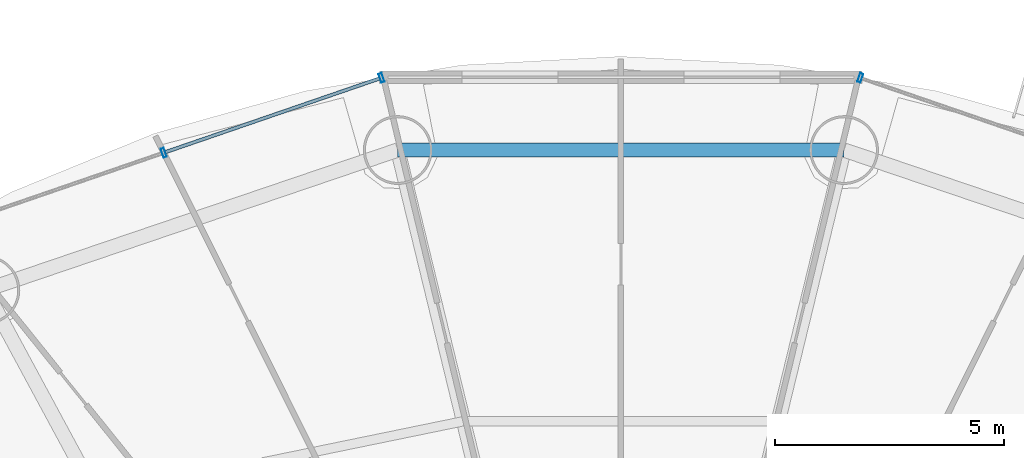
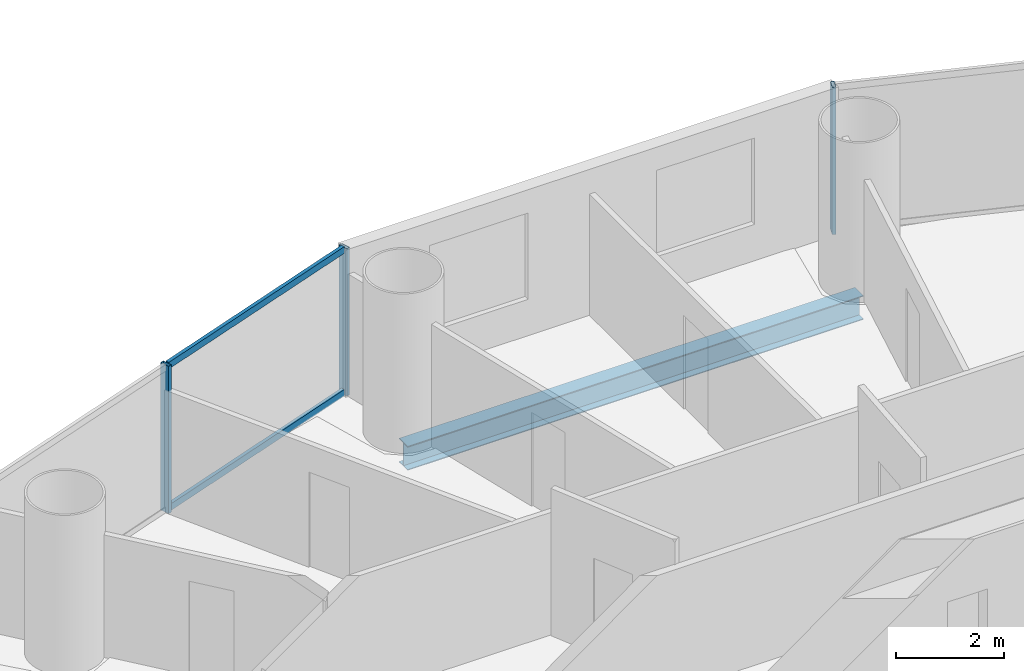
# One storey, part 18 of 29: 5 members, 1 beam, 2 elements without a shape of their own.
"""IFC4 building model written with IfcOpenShell, lengths in metres."""

from ifc_helpers import new_model, si_unit, direction, frame, origin, origin_2d, place, context, subcontext, project, spatial, hollow_rectangle, i_section, extrude, source, transform, mapped, material, material_profile, profile_set, type_object, element, aggregate, save


model = new_model("IFC4")

# Units and contexts
model_context = context("Model", 3, precision=1e-05, world=origin(), true_north=direction((-0.2419218956, 0.970295726276)))
body_context = subcontext(model_context, "Body", "Model", "MODEL_VIEW")
ifc_project = project(units=[si_unit("LENGTHUNIT", "METRE"), si_unit("AREAUNIT", "SQUARE_METRE"), si_unit("VOLUMEUNIT", "CUBIC_METRE"), si_unit("PLANEANGLEUNIT", "RADIAN"), si_unit("MASSUNIT", "GRAM", prefix="KILO")], contexts=[model_context])

# Site, building, storey
site_placement = place(None, origin())
site = spatial("IfcSite", under=ifc_project, at=site_placement, CompositionType="ELEMENT")
building_placement = place(site_placement, origin())
building = spatial("IfcBuilding", under=site, at=building_placement, Name="Cobrevalo Terracotta Tower", CompositionType="ELEMENT")
storey_placement = place(building_placement, frame((0.0, 0.0, 97.800048828125)))
storey = spatial("IfcBuildingStorey", under=building, at=storey_placement, Name="L25", CompositionType="ELEMENT", Elevation=97.800048828125)

# Beam
ifc_material_1 = material(Name="Steel S355", Category="steel")
ifc_material_profile_1 = material_profile(ifc_material_1, i_section(OverallWidth=0.31201171875, OverallDepth=0.54296875, WebThickness=0.0126953125, FlangeThickness=0.020263671875, at=origin_2d()), Name="W 530x150")
ifc_profile_set_1 = profile_set([ifc_material_profile_1], Name="Steel S355")
beam_type = type_object("IfcBeamType", Name="Structural Spandrel W 530x150 (Steel S355)", PredefinedType="SPANDREL", material=ifc_profile_set_1)
beam_placement = place(storey_placement, frame((42.867431640625, 46.857177734375, -0.546630859375), z_axis=(-1.0, 0.0, 0.0), x_axis=(0.0, -1.0, 0.0)))
element("IfcBeam", 1, at=beam_placement, inside=storey, type_object=beam_type, Name="L25 perimeter ring spandrel 04", PredefinedType="SPANDREL", context=body_context, shape_type="SweptSolid", body=[
    extrude(i_section(OverallWidth=0.31201171875, OverallDepth=0.54296875, WebThickness=0.0126953125, FlangeThickness=0.020263671875, at=origin_2d()), origin(), (0.0, 0.0, 1.0), 9.73486328125),
])

# Curtain wall, member
ifc_material_2 = material(Name="Anodized aluminium", Category="aluminium")
curtain_wall_type = type_object("IfcCurtainWallType", Name="Lower-tower unitised acoustic low-E curtain wall CW-U1", PredefinedType="NOTDEFINED", material=ifc_material_2)
curtain_wall_1_placement = place(storey_placement, origin())
curtain_wall_1 = element("IfcCurtainWall", 2, at=curtain_wall_1_placement, inside=storey, type_object=curtain_wall_type, Name="L25 curtain wall CW-L25-S03", PredefinedType="NOTDEFINED")
ifc_material_profile_2 = material_profile(ifc_material_2, hollow_rectangle(XDim=0.074951171875, YDim=0.199951171875, WallThickness=0.0048828125, at=origin_2d()), Name="CWM 75x200")
ifc_profile_set_2 = profile_set([ifc_material_profile_2], Name="Anodized aluminium")
member_type_1 = type_object("IfcMemberType", Name="Lower/mid tower unitised mullion 75x200", PredefinedType="MULLION", material=ifc_profile_set_2)
shared_shape_1 = source(origin(), body_context, "Body", "SweptSolid", [
    extrude(hollow_rectangle(XDim=0.074951171875, YDim=0.199951171875, WallThickness=0.0048828125, at=origin_2d()), origin(), (0.0, 0.0, 1.0), 3.324951171875),
])
member_1_placement = place(storey_placement, frame((43.221435546875, 48.432861328125, 0.0), z_axis=(0.0, 0.0, 1.0), x_axis=(-0.94559809868, 0.325337110968, 0.0)))
member_1 = element("IfcMember", 3, at=member_1_placement, type_object=member_type_1, Name="CW-L25-S03 vertical mullion 03", PredefinedType="MULLION", context=body_context, shape_type="MappedRepresentation", body=[
    mapped(shared_shape_1, transform((0.0, 0.0, 0.0), scale=1.0)),
])
aggregate(curtain_wall_1, [member_1])

# Curtain wall, members
curtain_wall_2_placement = place(storey_placement, origin())
curtain_wall_2 = element("IfcCurtainWall", 4, at=curtain_wall_2_placement, inside=storey, type_object=curtain_wall_type, Name="L25 curtain wall CW-L25-S05", PredefinedType="NOTDEFINED")
member_2_placement = place(storey_placement, frame((32.778564453125, 48.432861328125, 0.0), z_axis=(0.0, 0.0, 1.0), x_axis=(-0.94559809868, -0.325337110968, 0.0)))
member_2 = element("IfcMember", 5, at=member_2_placement, type_object=member_type_1, Name="CW-L25-S05 vertical mullion 01", PredefinedType="MULLION", context=body_context, shape_type="MappedRepresentation", body=[
    mapped(shared_shape_1, transform((0.0, 0.0, 0.0), scale=1.0)),
])
member_3_placement = place(storey_placement, frame((28.027587890625, 46.79833984375, 0.0), z_axis=(0.0, 0.0, 1.0), x_axis=(-0.94559809868, -0.325337110968, 0.0)))
member_3 = element("IfcMember", 6, at=member_3_placement, type_object=member_type_1, Name="CW-L25-S05 vertical mullion 02", PredefinedType="MULLION", context=body_context, shape_type="MappedRepresentation", body=[
    mapped(shared_shape_1, transform((0.0, 0.0, 0.0), scale=1.0)),
])
ifc_material_profile_3 = material_profile(ifc_material_2, hollow_rectangle(XDim=0.074951171875, YDim=0.14990234375, WallThickness=0.00439453125, at=origin_2d()), Name="CWT 75x150")
ifc_profile_set_3 = profile_set([ifc_material_profile_3], Name="Anodized aluminium")
member_type_2 = type_object("IfcMemberType", Name="Tower unitised aluminium transom 75x150", PredefinedType="USERDEFINED", material=ifc_profile_set_3)
shared_shape_2 = source(origin(), body_context, "Body", "SweptSolid", [
    extrude(hollow_rectangle(XDim=0.074951171875, YDim=0.14990234375, WallThickness=0.00439453125, at=origin_2d()), origin(), (0.0, 0.0, 1.0), 4.944580078125),
])
member_4_placement = place(storey_placement, frame((32.74072265625, 48.419921875, 0.050048828125), z_axis=(-0.945597859971, -0.32533780478, 0.0), x_axis=(0.32533780478, -0.945597859971, 0.0)))
member_4 = element("IfcMember", 7, at=member_4_placement, type_object=member_type_2, Name="CW-L25-S05 transom B01-T1", ObjectType="TRANSOM", PredefinedType="USERDEFINED", context=body_context, shape_type="MappedRepresentation", body=[
    mapped(shared_shape_2, transform((0.0, 0.0, 0.0), scale=1.0)),
])
member_5_placement = place(storey_placement, frame((32.74072265625, 48.419921875, 3.27490234375), z_axis=(-0.945597859971, -0.32533780478, 0.0), x_axis=(0.32533780478, -0.945597859971, 0.0)))
member_5 = element("IfcMember", 8, at=member_5_placement, type_object=member_type_2, Name="CW-L25-S05 transom B01-T2", ObjectType="TRANSOM", PredefinedType="USERDEFINED", context=body_context, shape_type="MappedRepresentation", body=[
    mapped(shared_shape_2, transform((0.0, 0.0, 0.0), scale=1.0)),
])
aggregate(curtain_wall_2, [member_2, member_3, member_4, member_5])

save(model, "model.ifc")
